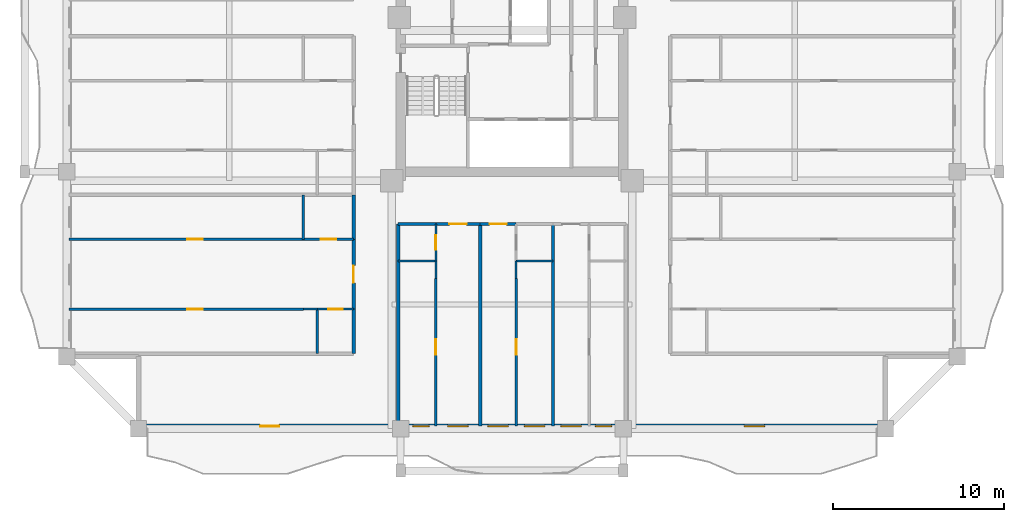
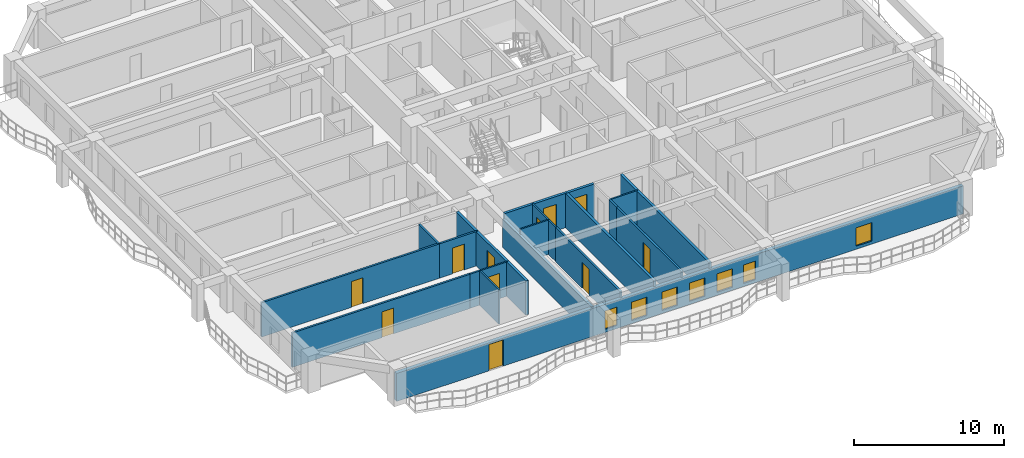
# One storey, part 2 of 13: 24 walls, 11 doors, 7 windows, 18 openings.
"""IFC4 building model written with IfcOpenShell, lengths in metres."""

from ifc_helpers import new_model, si_unit, direction, frame, frame_2d, origin, place, context, subcontext, project, spatial, rectangle, extrude, source, transform, mapped, material, layer, layer_set, type_object, element, fill, save


model = new_model("IFC4")

# Units and contexts
model_context = context("Model", 3, precision=1e-05, world=origin(), true_north=direction((0.0, 1.0)))
body_context = subcontext(model_context, "Body", "Model", "MODEL_VIEW")
ifc_project = project(units=[si_unit("LENGTHUNIT", "METRE"), si_unit("AREAUNIT", "SQUARE_METRE"), si_unit("VOLUMEUNIT", "CUBIC_METRE"), si_unit("PLANEANGLEUNIT", "RADIAN"), si_unit("MASSUNIT", "GRAM", prefix="KILO")], contexts=[model_context])

# Site, building, storey
site_placement = place(None, origin())
site = spatial("IfcSite", under=ifc_project, at=site_placement, CompositionType="ELEMENT")
building_placement = place(site_placement, origin())
building = spatial("IfcBuilding", under=site, at=building_placement, Name="Saelheon Loggia Tower", CompositionType="ELEMENT")
storey_placement = place(building_placement, frame((0.0, 0.0, 110.85009765625)))
storey = spatial("IfcBuildingStorey", under=building, at=storey_placement, Name="L35", CompositionType="ELEMENT", Elevation=110.85009765625)

# Wall, openings, windows, door
ifc_material_1 = material(Name="Architectural Precast Concrete C40/50", Category="concrete")
ifc_layer_1 = layer(ifc_material_1, 0.280029296875)
ifc_layer_set_1 = layer_set([ifc_layer_1], Name="Architectural Precast Concrete C40/50")
wall_type_1 = type_object("IfcWallType", Name="Wall_Ext_Loggia_280", PredefinedType="SOLIDWALL", material=ifc_layer_set_1)
wall_1_placement = place(storey_placement, frame((16.199951171875, 3.139892578125, 0.0), z_axis=(0.0, 0.0, 1.0), x_axis=(1.0, 0.0, 0.0)))
wall_1 = element("IfcWall", 1, at=wall_1_placement, inside=storey, type_object=wall_type_1, Name="L35 South Loggia Inner Wall", PredefinedType="SOLIDWALL", context=body_context, shape_type="SweptSolid", body=[
    extrude(rectangle(XDim=43.60009765625, YDim=0.280029296875, at=frame_2d((21.800048828125, 0.0))), origin(), (0.0, 0.0, 1.0), 2.27978515625),
])
opening_1_placement = place(wall_1_placement, frame((8.2001953125, 0.0, 0.0), z_axis=(0.0, 0.0, 1.0), x_axis=(-1.0, 0.0, 0.0)))
opening_1 = element("IfcOpeningElement", 2, at=opening_1_placement, cuts=wall_1, Name="Opening TD1", PredefinedType="OPENING", context=body_context, shape_type="SweptSolid", body=[
    extrude(rectangle(XDim=1.10009765625, YDim=2.14990234375, at=frame_2d((0.550048828125, 1.074951171875))), frame((0.0, 0.152099609375, 0.0), z_axis=(0.0, -1.0, 0.0), x_axis=(1.0, 0.0, 0.0)), (0.0, 0.0, 1.0), 0.303955078125),
])
opening_2_placement = place(wall_1_placement, frame((16.0087890625, 0.0, 0.25)))
opening_2 = element("IfcOpeningElement", 3, at=opening_2_placement, cuts=wall_1, Name="Opening WN-04", PredefinedType="OPENING", context=body_context, shape_type="SweptSolid", body=[
    extrude(rectangle(XDim=0.949951171875, YDim=1.5, at=frame_2d((0.47509765625, 0.75))), frame((0.0, 0.152099609375, 0.0), z_axis=(0.0, -1.0, 0.0), x_axis=(1.0, 0.0, 0.0)), (0.0, 0.0, 1.0), 0.303955078125),
])
opening_3_placement = place(wall_1_placement, frame((18.045166015625, 0.0, 0.25)))
opening_3 = element("IfcOpeningElement", 4, at=opening_3_placement, cuts=wall_1, Name="Opening WN-03", PredefinedType="OPENING", context=body_context, shape_type="SweptSolid", body=[
    extrude(rectangle(XDim=1.199951171875, YDim=1.5, at=frame_2d((0.60009765625, 0.75))), frame((0.0, 0.152099609375, 0.0), z_axis=(0.0, -1.0, 0.0), x_axis=(1.0, 0.0, 0.0)), (0.0, 0.0, 1.0), 0.303955078125),
])
opening_4_placement = place(wall_1_placement, frame((20.39111328125, 0.0, 0.25)))
opening_4 = element("IfcOpeningElement", 5, at=opening_4_placement, cuts=wall_1, Name="Opening WN-03", PredefinedType="OPENING", context=body_context, shape_type="SweptSolid", body=[
    extrude(rectangle(XDim=1.199951171875, YDim=1.5, at=frame_2d((0.60009765625, 0.75))), frame((0.0, 0.152099609375, 0.0), z_axis=(0.0, -1.0, 0.0), x_axis=(1.0, 0.0, 0.0)), (0.0, 0.0, 1.0), 0.303955078125),
])
opening_5_placement = place(wall_1_placement, frame((22.51904296875, 0.0, 0.25)))
opening_5 = element("IfcOpeningElement", 6, at=opening_5_placement, cuts=wall_1, Name="Opening WN-03", PredefinedType="OPENING", context=body_context, shape_type="SweptSolid", body=[
    extrude(rectangle(XDim=1.199951171875, YDim=1.5, at=frame_2d((0.60009765625, 0.75))), frame((0.0, 0.152099609375, 0.0), z_axis=(0.0, -1.0, 0.0), x_axis=(1.0, 0.0, 0.0)), (0.0, 0.0, 1.0), 0.303955078125),
])
opening_6_placement = place(wall_1_placement, frame((24.64697265625, 0.0, 0.25)))
opening_6 = element("IfcOpeningElement", 7, at=opening_6_placement, cuts=wall_1, Name="Opening WN-03", PredefinedType="OPENING", context=body_context, shape_type="SweptSolid", body=[
    extrude(rectangle(XDim=1.199951171875, YDim=1.5, at=frame_2d((0.60009765625, 0.75))), frame((0.0, 0.152099609375, 0.0), z_axis=(0.0, -1.0, 0.0), x_axis=(1.0, 0.0, 0.0)), (0.0, 0.0, 1.0), 0.303955078125),
])
opening_7_placement = place(wall_1_placement, frame((26.66748046875, 0.0, 0.25)))
opening_7 = element("IfcOpeningElement", 8, at=opening_7_placement, cuts=wall_1, Name="Opening WN-04", PredefinedType="OPENING", context=body_context, shape_type="SweptSolid", body=[
    extrude(rectangle(XDim=0.949951171875, YDim=1.5, at=frame_2d((0.47509765625, 0.75))), frame((0.0, 0.152099609375, 0.0), z_axis=(0.0, -1.0, 0.0), x_axis=(1.0, 0.0, 0.0)), (0.0, 0.0, 1.0), 0.303955078125),
])
opening_8_placement = place(wall_1_placement, frame((35.35009765625, 0.0, 0.25)))
opening_8 = element("IfcOpeningElement", 9, at=opening_8_placement, cuts=wall_1, Name="Opening WN-03", PredefinedType="OPENING", context=body_context, shape_type="SweptSolid", body=[
    extrude(rectangle(XDim=1.199951171875, YDim=1.5, at=frame_2d((0.60009765625, 0.75))), frame((0.0, 0.152099609375, 0.0), z_axis=(0.0, -1.0, 0.0), x_axis=(1.0, 0.0, 0.0)), (0.0, 0.0, 1.0), 0.303955078125),
])
ifc_material_2 = material(Name="Thermal-Break Aluminium and Triple Low-E Glass", Category="aluminium")
window_type_1 = type_object("IfcWindowType", Name="Win_Bedroom_1200x1500", PartitioningType="SINGLE_PANEL", PredefinedType="WINDOW", material=ifc_material_2)
shared_shape_1 = source(origin(), body_context, "Body", "SweptSolid", [
    extrude(rectangle(XDim=1.199951171875, YDim=1.5, at=frame_2d((0.60009765625, 0.75))), frame((0.0, 0.030029296875, 0.0), z_axis=(0.0, -1.0, 0.0), x_axis=(1.0, 0.0, 0.0)), (0.0, 0.0, 1.0), 0.06005859375),
])
window_1_placement = place(opening_3_placement, origin())
window_1 = element("IfcWindow", 10, at=window_1_placement, inside=storey, type_object=window_type_1, Name="L35 S Dwelling Window 3", OverallHeight=1.5, OverallWidth=1.199951171875, PartitioningType="SINGLE_PANEL", PredefinedType="WINDOW", context=body_context, shape_type="MappedRepresentation", body=[
    mapped(shared_shape_1, transform((0.0, 0.0, 0.0), scale=1.0)),
])
fill(opening_3, window_1)
window_2_placement = place(opening_4_placement, origin())
window_2 = element("IfcWindow", 11, at=window_2_placement, inside=storey, type_object=window_type_1, Name="L35 S Dwelling Window 4", OverallHeight=1.5, OverallWidth=1.199951171875, PartitioningType="SINGLE_PANEL", PredefinedType="WINDOW", context=body_context, shape_type="MappedRepresentation", body=[
    mapped(shared_shape_1, transform((0.0, 0.0, 0.0), scale=1.0)),
])
fill(opening_4, window_2)
window_3_placement = place(opening_5_placement, origin())
window_3 = element("IfcWindow", 12, at=window_3_placement, inside=storey, type_object=window_type_1, Name="L35 S Dwelling Window 5", OverallHeight=1.5, OverallWidth=1.199951171875, PartitioningType="SINGLE_PANEL", PredefinedType="WINDOW", context=body_context, shape_type="MappedRepresentation", body=[
    mapped(shared_shape_1, transform((0.0, 0.0, 0.0), scale=1.0)),
])
fill(opening_5, window_3)
window_4_placement = place(opening_6_placement, origin())
window_4 = element("IfcWindow", 13, at=window_4_placement, inside=storey, type_object=window_type_1, Name="L35 S Dwelling Window 6", OverallHeight=1.5, OverallWidth=1.199951171875, PartitioningType="SINGLE_PANEL", PredefinedType="WINDOW", context=body_context, shape_type="MappedRepresentation", body=[
    mapped(shared_shape_1, transform((0.0, 0.0, 0.0), scale=1.0)),
])
fill(opening_6, window_4)
window_5_placement = place(opening_8_placement, origin())
window_5 = element("IfcWindow", 14, at=window_5_placement, inside=storey, type_object=window_type_1, Name="L35 S Dwelling Window 8", OverallHeight=1.5, OverallWidth=1.199951171875, PartitioningType="SINGLE_PANEL", PredefinedType="WINDOW", context=body_context, shape_type="MappedRepresentation", body=[
    mapped(shared_shape_1, transform((0.0, 0.0, 0.0), scale=1.0)),
])
fill(opening_8, window_5)
ifc_material_3 = material(Name="Thermal-Break Aluminium Glazed Door", Category="aluminium")
door_type_1 = type_object("IfcDoorType", Name="Door_Terrace_TD1", OperationType="NOTDEFINED", PredefinedType="DOOR", material=ifc_material_3)
shared_shape_2 = source(origin(), body_context, "Body", "SweptSolid", [
    extrude(rectangle(XDim=1.10009765625, YDim=2.14990234375, at=frame_2d((0.550048828125, 1.074951171875))), frame((0.0, 0.02490234375, 0.0), z_axis=(0.0, -1.0, 0.0), x_axis=(1.0, 0.0, 0.0)), (0.0, 0.0, 1.0), 0.050048828125),
])
door_1_placement = place(opening_1_placement, origin())
door_1 = element("IfcDoor", 15, at=door_1_placement, inside=storey, type_object=door_type_1, Name="L35 S Loggia Access Door", OperationType="SINGLE_SWING_LEFT", OverallHeight=2.14990234375, OverallWidth=1.10009765625, PredefinedType="DOOR", context=body_context, shape_type="MappedRepresentation", body=[
    mapped(shared_shape_2, transform((0.0, 0.0, 0.0), scale=1.0)),
])
fill(opening_1, door_1)
window_type_2 = type_object("IfcWindowType", Name="Win_Narrow_950x1500", PartitioningType="SINGLE_PANEL", PredefinedType="WINDOW", material=ifc_material_2)
shared_shape_3 = source(origin(), body_context, "Body", "SweptSolid", [
    extrude(rectangle(XDim=0.949951171875, YDim=1.5, at=frame_2d((0.47509765625, 0.75))), frame((0.0, 0.030029296875, 0.0), z_axis=(0.0, -1.0, 0.0), x_axis=(1.0, 0.0, 0.0)), (0.0, 0.0, 1.0), 0.06005859375),
])
window_6_placement = place(opening_2_placement, origin())
window_6 = element("IfcWindow", 16, at=window_6_placement, inside=storey, type_object=window_type_2, Name="L35 S Dwelling Window 2", OverallHeight=1.5, OverallWidth=0.949951171875, PartitioningType="SINGLE_PANEL", PredefinedType="WINDOW", context=body_context, shape_type="MappedRepresentation", body=[
    mapped(shared_shape_3, transform((0.0, 0.0, 0.0), scale=1.0)),
])
fill(opening_2, window_6)
window_7_placement = place(opening_7_placement, origin())
window_7 = element("IfcWindow", 17, at=window_7_placement, inside=storey, type_object=window_type_2, Name="L35 S Dwelling Window 7", OverallHeight=1.5, OverallWidth=0.949951171875, PartitioningType="SINGLE_PANEL", PredefinedType="WINDOW", context=body_context, shape_type="MappedRepresentation", body=[
    mapped(shared_shape_3, transform((0.0, 0.0, 0.0), scale=1.0)),
])
fill(opening_7, window_7)

# Wall, opening, door
ifc_material_4 = material(Name="Lightweight Autoclaved Aerated Concrete Block and Acoustic Gypsum", Category="concrete")
ifc_layer_2 = layer(ifc_material_4, 0.14990234375)
ifc_layer_set_2 = layer_set([ifc_layer_2], Name="Lightweight Autoclaved Aerated Concrete Block and Acoustic Gypsum")
wall_type_2 = type_object("IfcWallType", Name="Wall_Part_150", PredefinedType="PARTITIONING", material=ifc_layer_set_2)
wall_2_placement = place(storey_placement, frame((33.552490234375, 11.780029296875, 0.0), z_axis=(0.0, 0.0, 1.0), x_axis=(0.0, -1.0, 0.0)))
wall_2 = element("IfcWall", 18, at=wall_2_placement, inside=storey, type_object=wall_type_2, Name="L35 S Partition U08", PredefinedType="PARTITIONING", context=body_context, shape_type="SweptSolid", body=[
    extrude(rectangle(XDim=8.630126953125, YDim=0.14990234375, at=frame_2d((4.31494140625, 0.0))), origin(), (0.0, 0.0, 1.0), 2.789794921875),
])
opening_9_placement = place(wall_2_placement, frame((3.56298828125, 0.0, 0.0)))
opening_9 = element("IfcOpeningElement", 19, at=opening_9_placement, cuts=wall_2, Name="Opening D-IN2", PredefinedType="OPENING", context=body_context, shape_type="SweptSolid", body=[
    extrude(rectangle(XDim=0.89990234375, YDim=2.10009765625, at=frame_2d((0.449951171875, 1.050048828125))), frame((0.0, 0.0869140625, 0.0), z_axis=(0.0, -1.0, 0.0), x_axis=(1.0, 0.0, 0.0)), (0.0, 0.0, 1.0), 0.173828125),
])
ifc_material_5 = material(Name="Engineered Oak Flush Door", Category="timber")
door_type_2 = type_object("IfcDoorType", Name="Door_Int_900", OperationType="NOTDEFINED", PredefinedType="DOOR", material=ifc_material_5)
shared_shape_4 = source(origin(), body_context, "Body", "SweptSolid", [
    extrude(rectangle(XDim=0.89990234375, YDim=2.10009765625, at=frame_2d((0.449951171875, 1.050048828125))), frame((0.0, 0.02490234375, 0.0), z_axis=(0.0, -1.0, 0.0), x_axis=(1.0, 0.0, 0.0)), (0.0, 0.0, 1.0), 0.050048828125),
])
door_2_placement = place(opening_9_placement, origin())
door_2 = element("IfcDoor", 20, at=door_2_placement, inside=storey, type_object=door_type_2, Name="Unit U01 Kitchen Door", OperationType="SINGLE_SWING_RIGHT", OverallHeight=2.10009765625, OverallWidth=0.89990234375, PredefinedType="DOOR", context=body_context, shape_type="MappedRepresentation", body=[
    mapped(shared_shape_4, transform((0.0, 0.0, 0.0), scale=1.0)),
])
fill(opening_9, door_2)

wall_3_placement = place(storey_placement, frame((38.243896484375, 11.780029296875, 0.0), z_axis=(0.0, 0.0, 1.0), x_axis=(0.0, -1.0, 0.0)))
wall_3 = element("IfcWall", 21, at=wall_3_placement, inside=storey, type_object=wall_type_2, Name="L35 S Partition U15", PredefinedType="PARTITIONING", context=body_context, shape_type="SweptSolid", body=[
    extrude(rectangle(XDim=8.630126953125, YDim=0.14990234375, at=frame_2d((4.31494140625, 0.0))), origin(), (0.0, 0.0, 1.0), 2.789794921875),
])
opening_10_placement = place(wall_3_placement, frame((3.56298828125, 0.0, 0.0)))
opening_10 = element("IfcOpeningElement", 22, at=opening_10_placement, cuts=wall_3, Name="Opening D-IN2", PredefinedType="OPENING", context=body_context, shape_type="SweptSolid", body=[
    extrude(rectangle(XDim=0.89990234375, YDim=2.10009765625, at=frame_2d((0.449951171875, 1.050048828125))), frame((0.0, 0.0869140625, 0.0), z_axis=(0.0, -1.0, 0.0), x_axis=(1.0, 0.0, 0.0)), (0.0, 0.0, 1.0), 0.173828125),
])
door_3_placement = place(opening_10_placement, origin())
door_3 = element("IfcDoor", 23, at=door_3_placement, inside=storey, type_object=door_type_2, Name="Unit U02 Kitchen Door", OperationType="SINGLE_SWING_LEFT", OverallHeight=2.10009765625, OverallWidth=0.89990234375, PredefinedType="DOOR", context=body_context, shape_type="MappedRepresentation", body=[
    mapped(shared_shape_4, transform((0.0, 0.0, 0.0), scale=1.0)),
])
fill(opening_10, door_3)

# Wall
wall_4_placement = place(storey_placement, frame((25.820068359375, 14.050048828125, 0.0), z_axis=(0.0, 0.0, 1.0), x_axis=(0.0, 1.0, 0.0)))
element("IfcWall", 24, at=wall_4_placement, inside=storey, type_object=wall_type_2, Name="L35 WS Partition V07", PredefinedType="PARTITIONING", context=body_context, shape_type="SweptSolid", body=[
    extrude(rectangle(XDim=2.599853515625, YDim=0.14990234375, at=frame_2d((1.2998046875, 0.0))), origin(), (0.0, 0.0, 1.0), 2.789794921875),
])

# Wall, opening, door
wall_5_placement = place(storey_placement, frame((25.820068359375, 9.9755859375, 0.0), z_axis=(0.0, 0.0, 1.0), x_axis=(-1.0, 0.0, 0.0)))
wall_5 = element("IfcWall", 25, at=wall_5_placement, inside=storey, type_object=wall_type_2, Name="L35 WS Partition U10", PredefinedType="PARTITIONING", context=body_context, shape_type="SweptSolid", body=[
    extrude(rectangle(XDim=13.670166015625, YDim=0.14990234375, at=frame_2d((6.8349609375, 0.0))), origin(), (0.0, 0.0, 1.0), 2.789794921875),
])
opening_11_placement = place(wall_5_placement, frame((5.872802734375, 0.0, 0.0)))
opening_11 = element("IfcOpeningElement", 26, at=opening_11_placement, cuts=wall_5, Name="Opening D-IN2", PredefinedType="OPENING", context=body_context, shape_type="SweptSolid", body=[
    extrude(rectangle(XDim=0.89990234375, YDim=2.10009765625, at=frame_2d((0.449951171875, 1.050048828125))), frame((0.0, 0.0869140625, 0.0), z_axis=(0.0, -1.0, 0.0), x_axis=(1.0, 0.0, 0.0)), (0.0, 0.0, 1.0), 0.173828125),
])
door_4_placement = place(opening_11_placement, origin())
door_4 = element("IfcDoor", 27, at=door_4_placement, inside=storey, type_object=door_type_2, Name="Unit U06 Kitchen Door", OperationType="SINGLE_SWING_RIGHT", OverallHeight=2.10009765625, OverallWidth=0.89990234375, PredefinedType="DOOR", context=body_context, shape_type="MappedRepresentation", body=[
    mapped(shared_shape_4, transform((0.0, 0.0, 0.0), scale=1.0)),
])
fill(opening_11, door_4)

wall_6_placement = place(storey_placement, frame((28.75, 14.050048828125, 0.0), z_axis=(0.0, 0.0, 1.0), x_axis=(-1.0, 0.0, 0.0)))
wall_6 = element("IfcWall", 28, at=wall_6_placement, inside=storey, type_object=wall_type_2, Name="L35 WS Partition U11", PredefinedType="PARTITIONING", context=body_context, shape_type="SweptSolid", body=[
    extrude(rectangle(XDim=2.929931640625, YDim=0.14990234375, at=frame_2d((1.46484375, 0.0))), origin(), (0.0, 0.0, 1.0), 2.789794921875),
])
opening_12_placement = place(wall_6_placement, frame((1.014892578125, 0.0, 0.0)))
opening_12 = element("IfcOpeningElement", 29, at=opening_12_placement, cuts=wall_6, Name="Opening D-IN2", PredefinedType="OPENING", context=body_context, shape_type="SweptSolid", body=[
    extrude(rectangle(XDim=0.89990234375, YDim=2.10009765625, at=frame_2d((0.449951171875, 1.050048828125))), frame((0.0, 0.0869140625, 0.0), z_axis=(0.0, -1.0, 0.0), x_axis=(1.0, 0.0, 0.0)), (0.0, 0.0, 1.0), 0.173828125),
])
door_5_placement = place(opening_12_placement, origin())
door_5 = element("IfcDoor", 30, at=door_5_placement, inside=storey, type_object=door_type_2, Name="Unit U06 Dressing Closet Door", OperationType="SINGLE_SWING_LEFT", OverallHeight=2.10009765625, OverallWidth=0.89990234375, PredefinedType="DOOR", context=body_context, shape_type="MappedRepresentation", body=[
    mapped(shared_shape_4, transform((0.0, 0.0, 0.0), scale=1.0)),
])
fill(opening_12, door_5)

wall_7_placement = place(storey_placement, frame((25.820068359375, 14.050048828125, 0.0), z_axis=(0.0, 0.0, 1.0), x_axis=(-1.0, 0.0, 0.0)))
wall_7 = element("IfcWall", 31, at=wall_7_placement, inside=storey, type_object=wall_type_2, Name="L35 WS Partition U12", PredefinedType="PARTITIONING", context=body_context, shape_type="SweptSolid", body=[
    extrude(rectangle(XDim=13.670166015625, YDim=0.14990234375, at=frame_2d((6.8349609375, 0.0))), origin(), (0.0, 0.0, 1.0), 2.789794921875),
])
opening_13_placement = place(wall_7_placement, frame((5.872802734375, 0.0, 0.0)))
opening_13 = element("IfcOpeningElement", 32, at=opening_13_placement, cuts=wall_7, Name="Opening D-IN2", PredefinedType="OPENING", context=body_context, shape_type="SweptSolid", body=[
    extrude(rectangle(XDim=0.89990234375, YDim=2.10009765625, at=frame_2d((0.449951171875, 1.050048828125))), frame((0.0, 0.0869140625, 0.0), z_axis=(0.0, -1.0, 0.0), x_axis=(1.0, 0.0, 0.0)), (0.0, 0.0, 1.0), 0.173828125),
])
door_6_placement = place(opening_13_placement, origin())
door_6 = element("IfcDoor", 33, at=door_6_placement, inside=storey, type_object=door_type_2, Name="Unit U06 Bedroom 1 Door", OperationType="SINGLE_SWING_RIGHT", OverallHeight=2.10009765625, OverallWidth=0.89990234375, PredefinedType="DOOR", context=body_context, shape_type="MappedRepresentation", body=[
    mapped(shared_shape_4, transform((0.0, 0.0, 0.0), scale=1.0)),
])
fill(opening_13, door_6)

# Walls
ifc_material_6 = material(Name="Double Acoustic Stud and Fireboard Partition", Category="gypsum")
ifc_layer_3 = layer(ifc_material_6, 0.199951171875)
ifc_layer_set_3 = layer_set([ifc_layer_3], Name="Double Acoustic Stud and Fireboard Partition")
wall_type_3 = type_object("IfcWallType", Name="Wall_Party_200", PredefinedType="PARTITIONING", material=ifc_layer_set_3)
wall_8_placement = place(storey_placement, frame((31.35009765625, 14.949951171875, 0.0), z_axis=(0.0, 0.0, 1.0), x_axis=(0.0, -1.0, 0.0)))
element("IfcWall", 34, at=wall_8_placement, inside=storey, type_object=wall_type_3, Name="L35 S Partition U01", PredefinedType="PARTITIONING", context=body_context, shape_type="SweptSolid", body=[
    extrude(rectangle(XDim=11.800048828125, YDim=0.199951171875, at=frame_2d((5.89990234375, 0.0))), origin(), (0.0, 0.0, 1.0), 2.33984375),
])
wall_9_placement = place(storey_placement, frame((31.35009765625, 14.949951171875, 0.0), z_axis=(0.0, 0.0, 1.0), x_axis=(1.0, 0.0, 0.0)))
element("IfcWall", 35, at=wall_9_placement, inside=storey, type_object=wall_type_3, Name="L35 S Partition V03", PredefinedType="PARTITIONING", context=body_context, shape_type="SweptSolid", body=[
    extrude(rectangle(XDim=2.202392578125, YDim=0.199951171875, at=frame_2d((1.10107421875, 0.0))), origin(), (0.0, 0.0, 1.0), 2.789794921875),
])

# Wall, opening, door
wall_10_placement = place(storey_placement, frame((33.552490234375, 14.949951171875, 0.0), z_axis=(0.0, 0.0, 1.0), x_axis=(1.0, 0.0, 0.0)))
wall_10 = element("IfcWall", 36, at=wall_10_placement, inside=storey, type_object=wall_type_3, Name="L35 S Partition V04", PredefinedType="PARTITIONING", context=body_context, shape_type="SweptSolid", body=[
    extrude(rectangle(XDim=2.58544921875, YDim=0.199951171875, at=frame_2d((1.292724609375, 0.0))), origin(), (0.0, 0.0, 1.0), 2.789794921875),
])
opening_14_placement = place(wall_10_placement, frame((0.792724609375, 0.0, 0.0)))
opening_14 = element("IfcOpeningElement", 37, at=opening_14_placement, cuts=wall_10, Name="Opening D-FD1", PredefinedType="OPENING", context=body_context, shape_type="SweptSolid", body=[
    extrude(rectangle(XDim=1.0, YDim=2.14990234375, at=frame_2d((0.5, 1.074951171875))), frame((0.0, 0.112060546875, 0.0), z_axis=(0.0, -1.0, 0.0), x_axis=(1.0, 0.0, 0.0)), (0.0, 0.0, 1.0), 0.223876953125),
])
ifc_material_7 = material(Name="Fire-Rated Engineered Timber Entrance Door", Category="wood")
door_type_3 = type_object("IfcDoorType", Name="Door_Flat_FD30S", OperationType="NOTDEFINED", PredefinedType="DOOR", material=ifc_material_7)
shared_shape_5 = source(origin(), body_context, "Body", "SweptSolid", [
    extrude(rectangle(XDim=1.0, YDim=2.14990234375, at=frame_2d((0.5, 1.074951171875))), frame((0.0, 0.02490234375, 0.0), z_axis=(0.0, -1.0, 0.0), x_axis=(1.0, 0.0, 0.0)), (0.0, 0.0, 1.0), 0.050048828125),
])
door_7_placement = place(opening_14_placement, origin())
door_7 = element("IfcDoor", 38, at=door_7_placement, inside=storey, type_object=door_type_3, Name="Unit U01 Entrance Door", OperationType="SINGLE_SWING_RIGHT", OverallHeight=2.14990234375, OverallWidth=1.0, PredefinedType="DOOR", context=body_context, shape_type="MappedRepresentation", body=[
    mapped(shared_shape_5, transform((0.0, 0.0, 0.0), scale=1.0)),
])
fill(opening_14, door_7)

# Wall
wall_11_placement = place(storey_placement, frame((36.137939453125, 14.949951171875, 0.0), z_axis=(0.0, 0.0, 1.0), x_axis=(0.0, -1.0, 0.0)))
element("IfcWall", 39, at=wall_11_placement, inside=storey, type_object=wall_type_3, Name="L35 S Partition U09", PredefinedType="PARTITIONING", context=body_context, shape_type="SweptSolid", body=[
    extrude(rectangle(XDim=11.800048828125, YDim=0.199951171875, at=frame_2d((5.89990234375, 0.0))), origin(), (0.0, 0.0, 1.0), 2.789794921875),
])

# Wall, opening, door
wall_12_placement = place(storey_placement, frame((36.137939453125, 14.949951171875, 0.0), z_axis=(0.0, 0.0, 1.0), x_axis=(1.0, 0.0, 0.0)))
wall_12 = element("IfcWall", 40, at=wall_12_placement, inside=storey, type_object=wall_type_3, Name="L35 S Partition V10", PredefinedType="PARTITIONING", context=body_context, shape_type="SweptSolid", body=[
    extrude(rectangle(XDim=2.10595703125, YDim=0.199951171875, at=frame_2d((1.052978515625, 0.0))), origin(), (0.0, 0.0, 1.0), 2.789794921875),
])
opening_15_placement = place(wall_12_placement, frame((0.552978515625, 0.0, 0.0)))
opening_15 = element("IfcOpeningElement", 41, at=opening_15_placement, cuts=wall_12, Name="Opening D-FD1", PredefinedType="OPENING", context=body_context, shape_type="SweptSolid", body=[
    extrude(rectangle(XDim=1.0, YDim=2.14990234375, at=frame_2d((0.5, 1.074951171875))), frame((0.0, 0.112060546875, 0.0), z_axis=(0.0, -1.0, 0.0), x_axis=(1.0, 0.0, 0.0)), (0.0, 0.0, 1.0), 0.223876953125),
])
door_8_placement = place(opening_15_placement, origin())
door_8 = element("IfcDoor", 42, at=door_8_placement, inside=storey, type_object=door_type_3, Name="Unit U02 Entrance Door", OperationType="SINGLE_SWING_LEFT", OverallHeight=2.14990234375, OverallWidth=1.0, PredefinedType="DOOR", context=body_context, shape_type="MappedRepresentation", body=[
    mapped(shared_shape_5, transform((0.0, 0.0, 0.0), scale=1.0)),
])
fill(opening_15, door_8)

# Walls
wall_13_placement = place(storey_placement, frame((40.39404296875, 14.949951171875, 0.0), z_axis=(0.0, 0.0, 1.0), x_axis=(0.0, -1.0, 0.0)))
element("IfcWall", 43, at=wall_13_placement, inside=storey, type_object=wall_type_3, Name="L35 S Partition U16", PredefinedType="PARTITIONING", context=body_context, shape_type="SweptSolid", body=[
    extrude(rectangle(XDim=11.800048828125, YDim=0.199951171875, at=frame_2d((5.89990234375, 0.0))), origin(), (0.0, 0.0, 1.0), 2.789794921875),
])
wall_14_placement = place(storey_placement, frame((28.75, 7.3798828125, 0.0), z_axis=(0.0, 0.0, 1.0), x_axis=(0.0, 1.0, 0.0)))
element("IfcWall", 44, at=wall_14_placement, inside=storey, type_object=wall_type_3, Name="L35 WS Partition V03", PredefinedType="PARTITIONING", context=body_context, shape_type="SweptSolid", body=[
    extrude(rectangle(XDim=2.595703125, YDim=0.199951171875, at=frame_2d((1.2978515625, 0.0))), origin(), (0.0, 0.0, 1.0), 2.789794921875),
])

# Wall, opening, door
wall_15_placement = place(storey_placement, frame((28.75, 9.9755859375, 0.0), z_axis=(0.0, 0.0, 1.0), x_axis=(0.0, 1.0, 0.0)))
wall_15 = element("IfcWall", 45, at=wall_15_placement, inside=storey, type_object=wall_type_3, Name="L35 WS Partition V04", PredefinedType="PARTITIONING", context=body_context, shape_type="SweptSolid", body=[
    extrude(rectangle(XDim=4.074462890625, YDim=0.199951171875, at=frame_2d((2.037109375, 0.0))), origin(), (0.0, 0.0, 1.0), 2.789794921875),
])
opening_16_placement = place(wall_15_placement, frame((1.537109375, 0.0, 0.0)))
opening_16 = element("IfcOpeningElement", 46, at=opening_16_placement, cuts=wall_15, Name="Opening D-FD1", PredefinedType="OPENING", context=body_context, shape_type="SweptSolid", body=[
    extrude(rectangle(XDim=1.0, YDim=2.14990234375, at=frame_2d((0.5, 1.074951171875))), frame((0.0, 0.112060546875, 0.0), z_axis=(0.0, -1.0, 0.0), x_axis=(1.0, 0.0, 0.0)), (0.0, 0.0, 1.0), 0.223876953125),
])
door_9_placement = place(opening_16_placement, origin())
door_9 = element("IfcDoor", 47, at=door_9_placement, inside=storey, type_object=door_type_3, Name="Unit U06 Entrance Door", OperationType="SINGLE_SWING_RIGHT", OverallHeight=2.14990234375, OverallWidth=1.0, PredefinedType="DOOR", context=body_context, shape_type="MappedRepresentation", body=[
    mapped(shared_shape_5, transform((0.0, 0.0, 0.0), scale=1.0)),
])
fill(opening_16, door_9)

# Wall
wall_16_placement = place(storey_placement, frame((28.75, 14.050048828125, 0.0), z_axis=(0.0, 0.0, 1.0), x_axis=(0.0, 1.0, 0.0)))
element("IfcWall", 48, at=wall_16_placement, inside=storey, type_object=wall_type_3, Name="L35 WS Partition V05", PredefinedType="PARTITIONING", context=body_context, shape_type="SweptSolid", body=[
    extrude(rectangle(XDim=2.599853515625, YDim=0.199951171875, at=frame_2d((1.2998046875, 0.0))), origin(), (0.0, 0.0, 1.0), 2.789794921875),
])

# Wall, opening, door
ifc_material_8 = material(Name="Moisture-Resistant Cement Board Partition", Category="gypsum")
ifc_layer_4 = layer(ifc_material_8, 0.1201171875)
ifc_layer_set_4 = layer_set([ifc_layer_4], Name="Moisture-Resistant Cement Board Partition")
wall_type_4 = type_object("IfcWallType", Name="Wall_WetPart_120", PredefinedType="PARTITIONING", material=ifc_layer_set_4)
wall_17_placement = place(storey_placement, frame((33.552490234375, 14.949951171875, 0.0), z_axis=(0.0, 0.0, 1.0), x_axis=(0.0, -1.0, 0.0)))
wall_17 = element("IfcWall", 49, at=wall_17_placement, inside=storey, type_object=wall_type_4, Name="L35 S Partition U05", PredefinedType="PARTITIONING", context=body_context, shape_type="SweptSolid", body=[
    extrude(rectangle(XDim=2.14990234375, YDim=0.1201171875, at=frame_2d((1.074951171875, 0.0))), origin(), (0.0, 0.0, 1.0), 2.789794921875),
])
opening_17_placement = place(wall_17_placement, frame((0.64990234375, 0.0, 0.0)))
opening_17 = element("IfcOpeningElement", 50, at=opening_17_placement, cuts=wall_17, Name="Opening D-BT1", PredefinedType="OPENING", context=body_context, shape_type="SweptSolid", body=[
    extrude(rectangle(XDim=0.85009765625, YDim=2.050048828125, at=frame_2d((0.425048828125, 1.02490234375))), frame((0.0, 0.072021484375, 0.0), z_axis=(0.0, -1.0, 0.0), x_axis=(1.0, 0.0, 0.0)), (0.0, 0.0, 1.0), 0.14404296875),
])
ifc_material_9 = material(Name="Moisture-Resistant Laminate Timber Door", Category="wood")
door_type_4 = type_object("IfcDoorType", Name="Door_Bath_850", OperationType="NOTDEFINED", PredefinedType="DOOR", material=ifc_material_9)
shared_shape_6 = source(origin(), body_context, "Body", "SweptSolid", [
    extrude(rectangle(XDim=0.85009765625, YDim=2.050048828125, at=frame_2d((0.425048828125, 1.02490234375))), frame((0.0, 0.02490234375, 0.0), z_axis=(0.0, -1.0, 0.0), x_axis=(1.0, 0.0, 0.0)), (0.0, 0.0, 1.0), 0.050048828125),
])
door_10_placement = place(opening_17_placement, origin())
door_10 = element("IfcDoor", 51, at=door_10_placement, inside=storey, type_object=door_type_4, Name="Unit U01 Bathroom Door", OperationType="SINGLE_SWING_LEFT", OverallHeight=2.050048828125, OverallWidth=0.85009765625, PredefinedType="DOOR", context=body_context, shape_type="MappedRepresentation", body=[
    mapped(shared_shape_6, transform((0.0, 0.0, 0.0), scale=1.0)),
])
fill(opening_17, door_10)

# Walls
wall_18_placement = place(storey_placement, frame((33.552490234375, 12.800048828125, 0.0), z_axis=(0.0, 0.0, 1.0), x_axis=(0.0, -1.0, 0.0)))
element("IfcWall", 52, at=wall_18_placement, inside=storey, type_object=wall_type_4, Name="L35 S Partition U06", PredefinedType="PARTITIONING", context=body_context, shape_type="SweptSolid", body=[
    extrude(rectangle(XDim=1.02001953125, YDim=0.1201171875, at=frame_2d((0.510009765625, 0.0))), origin(), (0.0, 0.0, 1.0), 2.789794921875),
])
wall_19_placement = place(storey_placement, frame((31.35009765625, 12.800048828125, 0.0), z_axis=(0.0, 0.0, 1.0), x_axis=(1.0, 0.0, 0.0)))
element("IfcWall", 53, at=wall_19_placement, inside=storey, type_object=wall_type_4, Name="L35 S Partition V07", PredefinedType="PARTITIONING", context=body_context, shape_type="SweptSolid", body=[
    extrude(rectangle(XDim=2.202392578125, YDim=0.1201171875, at=frame_2d((1.10107421875, 0.0))), origin(), (0.0, 0.0, 1.0), 2.789794921875),
])
wall_20_placement = place(storey_placement, frame((38.243896484375, 12.800048828125, 0.0), z_axis=(0.0, 0.0, 1.0), x_axis=(0.0, -1.0, 0.0)))
element("IfcWall", 54, at=wall_20_placement, inside=storey, type_object=wall_type_4, Name="L35 S Partition U13", PredefinedType="PARTITIONING", context=body_context, shape_type="SweptSolid", body=[
    extrude(rectangle(XDim=1.02001953125, YDim=0.1201171875, at=frame_2d((0.510009765625, 0.0))), origin(), (0.0, 0.0, 1.0), 2.789794921875),
])
wall_21_placement = place(storey_placement, frame((38.243896484375, 12.800048828125, 0.0), z_axis=(0.0, 0.0, 1.0), x_axis=(1.0, 0.0, 0.0)))
element("IfcWall", 55, at=wall_21_placement, inside=storey, type_object=wall_type_4, Name="L35 S Partition V14", PredefinedType="PARTITIONING", context=body_context, shape_type="SweptSolid", body=[
    extrude(rectangle(XDim=2.150146484375, YDim=0.1201171875, at=frame_2d((1.0751953125, 0.0))), origin(), (0.0, 0.0, 1.0), 2.789794921875),
])
wall_22_placement = place(storey_placement, frame((26.6298828125, 7.3798828125, 0.0), z_axis=(0.0, 0.0, 1.0), x_axis=(0.0, 1.0, 0.0)))
element("IfcWall", 56, at=wall_22_placement, inside=storey, type_object=wall_type_4, Name="L35 WS Partition V06", PredefinedType="PARTITIONING", context=body_context, shape_type="SweptSolid", body=[
    extrude(rectangle(XDim=2.595703125, YDim=0.1201171875, at=frame_2d((1.2978515625, 0.0))), origin(), (0.0, 0.0, 1.0), 2.789794921875),
])

# Wall, opening, door
wall_23_placement = place(storey_placement, frame((28.75, 9.9755859375, 0.0), z_axis=(0.0, 0.0, 1.0), x_axis=(-1.0, 0.0, 0.0)))
wall_23 = element("IfcWall", 57, at=wall_23_placement, inside=storey, type_object=wall_type_4, Name="L35 WS Partition U08", PredefinedType="PARTITIONING", context=body_context, shape_type="SweptSolid", body=[
    extrude(rectangle(XDim=2.1201171875, YDim=0.1201171875, at=frame_2d((1.06005859375, 0.0))), origin(), (0.0, 0.0, 1.0), 2.789794921875),
])
opening_18_placement = place(wall_23_placement, frame((0.635009765625, 0.0, 0.0)))
opening_18 = element("IfcOpeningElement", 58, at=opening_18_placement, cuts=wall_23, Name="Opening D-BT1", PredefinedType="OPENING", context=body_context, shape_type="SweptSolid", body=[
    extrude(rectangle(XDim=0.85009765625, YDim=2.050048828125, at=frame_2d((0.425048828125, 1.02490234375))), frame((0.0, 0.072021484375, 0.0), z_axis=(0.0, -1.0, 0.0), x_axis=(1.0, 0.0, 0.0)), (0.0, 0.0, 1.0), 0.14404296875),
])
door_11_placement = place(opening_18_placement, origin())
door_11 = element("IfcDoor", 59, at=door_11_placement, inside=storey, type_object=door_type_4, Name="Unit U06 Bathroom Door", OperationType="SINGLE_SWING_LEFT", OverallHeight=2.050048828125, OverallWidth=0.85009765625, PredefinedType="DOOR", context=body_context, shape_type="MappedRepresentation", body=[
    mapped(shared_shape_6, transform((0.0, 0.0, 0.0), scale=1.0)),
])
fill(opening_18, door_11)

# Wall
wall_24_placement = place(storey_placement, frame((26.6298828125, 9.9755859375, 0.0), z_axis=(0.0, 0.0, 1.0), x_axis=(-1.0, 0.0, 0.0)))
element("IfcWall", 60, at=wall_24_placement, inside=storey, type_object=wall_type_4, Name="L35 WS Partition U09", PredefinedType="PARTITIONING", context=body_context, shape_type="SweptSolid", body=[
    extrude(rectangle(XDim=0.809814453125, YDim=0.1201171875, at=frame_2d((0.40478515625, 0.0))), origin(), (0.0, 0.0, 1.0), 2.789794921875),
])

save(model, "model.ifc")
